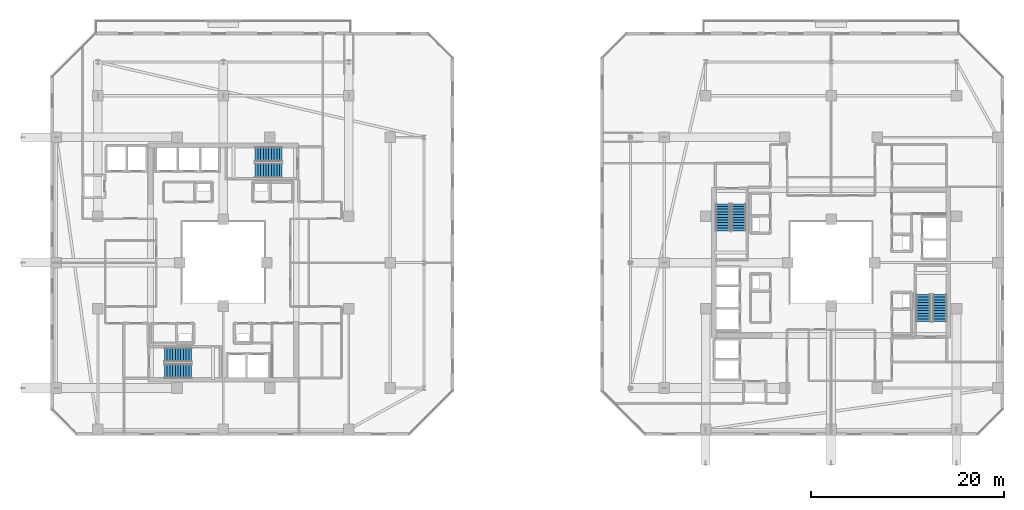
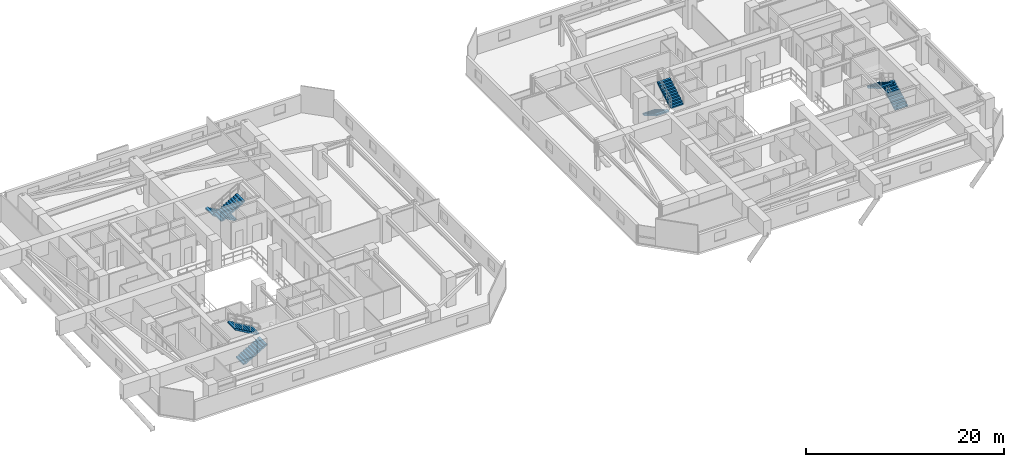
# One storey, part 30 of 36: 8 stair flights, 4 elements without a shape of their own.
"""IFC4 building model written with IfcOpenShell, lengths in metres."""

from ifc_helpers import new_model, si_unit, direction, frame, origin, place, context, subcontext, project, spatial, polyline, outline, extrude, material, type_object, element, aggregate, save


model = new_model("IFC4")

# Units and contexts
model_context = context("Model", 3, precision=1e-05, world=origin(), true_north=direction((0.0, 1.0)))
body_context = subcontext(model_context, "Body", "Model", "MODEL_VIEW")
ifc_project = project(units=[si_unit("LENGTHUNIT", "METRE"), si_unit("AREAUNIT", "SQUARE_METRE"), si_unit("VOLUMEUNIT", "CUBIC_METRE"), si_unit("PLANEANGLEUNIT", "RADIAN"), si_unit("MASSUNIT", "GRAM", prefix="KILO")], contexts=[model_context])

# Site, building, storey
site_placement = place(None, origin())
site = spatial("IfcSite", under=ifc_project, at=site_placement, CompositionType="ELEMENT")
building_placement = place(site_placement, origin())
building = spatial("IfcBuilding", under=site, at=building_placement, Name="Thornwick Lancets Civic Towers", CompositionType="ELEMENT")
storey_placement = place(building_placement, frame((0.0, 0.0, 196.5)))
storey = spatial("IfcBuildingStorey", under=building, at=storey_placement, Name="L52", CompositionType="ELEMENT", Elevation=196.5)

# Stair, stair flights
ifc_material = material(Name="Concrete C40/50", Category="concrete")
stair_type = type_object("IfcStairType", Name="STAIR_DL_3600", PredefinedType="HALF_TURN_STAIR", material=ifc_material)
stair_1_placement = place(storey_placement, origin())
stair_1 = element("IfcStair", 1, at=stair_1_placement, inside=storey, type_object=stair_type, Name="L52 Tower A South Exit Stair ST-A1", PredefinedType="HALF_TURN_STAIR")
stair_flight_type = type_object("IfcStairFlightType", Name="FLIGHT_3600", PredefinedType="STRAIGHT", material=ifc_material)
stair_flight_1_placement = place(storey_placement, frame((19.39990234375, 15.75, 0.0), z_axis=(0.0, 0.0, 1.0), x_axis=(1.0, 0.0, 0.0)))
stair_flight_1 = element("IfcStairFlight", 2, at=stair_flight_1_placement, type_object=stair_flight_type, Name="ST-A1 flight 1", NumberOfRisers=11, NumberOfTreads=10, PredefinedType="STRAIGHT", RiserHeight=0.163636364, TreadLength=0.28, context=body_context, shape_type="SweptSolid", body=[
    extrude(outline(polyline([(0.0, 0.0), (0.0, 0.16357421875), (0.280029296875, 0.16357421875), (0.280029296875, 0.327392578125), (0.56005859375, 0.327392578125), (0.56005859375, 0.490966796875), (0.840087890625, 0.490966796875), (0.840087890625, 0.654541015625), (1.1201171875, 0.654541015625), (1.1201171875, 0.818115234375), (1.39990234375, 0.818115234375), (1.39990234375, 0.98193359375), (1.679931640625, 0.98193359375), (1.679931640625, 1.1455078125), (1.9599609375, 1.1455078125), (1.9599609375, 1.30908203125), (2.239990234375, 1.30908203125), (2.239990234375, 1.47265625), (2.52001953125, 1.47265625), (2.52001953125, 1.636474609375), (2.800048828125, 1.636474609375), (2.800048828125, 1.800048828125), (2.800048828125, 1.462646484375), (0.297119140625, 0.0), (0.0, 0.0)])), frame((0.0, 0.75, 0.0), z_axis=(0.0, -1.0, 0.0), x_axis=(1.0, 0.0, 0.0)), (0.0, 0.0, 1.0), 1.5),
])
stair_flight_2_placement = place(storey_placement, frame((22.199951171875, 17.449951171875, 1.800048828125), z_axis=(0.0, 0.0, 1.0), x_axis=(-1.0, 0.0, 0.0)))
stair_flight_2 = element("IfcStairFlight", 3, at=stair_flight_2_placement, type_object=stair_flight_type, Name="ST-A1 flight 2", NumberOfRisers=11, NumberOfTreads=10, PredefinedType="STRAIGHT", RiserHeight=0.163636364, TreadLength=0.28, context=body_context, shape_type="SweptSolid", body=[
    extrude(outline(polyline([(0.0, 0.0), (0.0, 0.16357421875), (0.280029296875, 0.16357421875), (0.280029296875, 0.327392578125), (0.56005859375, 0.327392578125), (0.56005859375, 0.490966796875), (0.840087890625, 0.490966796875), (0.840087890625, 0.654541015625), (1.1201171875, 0.654541015625), (1.1201171875, 0.818115234375), (1.39990234375, 0.818115234375), (1.39990234375, 0.98193359375), (1.679931640625, 0.98193359375), (1.679931640625, 1.1455078125), (1.9599609375, 1.1455078125), (1.9599609375, 1.30908203125), (2.239990234375, 1.30908203125), (2.239990234375, 1.47265625), (2.52001953125, 1.47265625), (2.52001953125, 1.636474609375), (2.800048828125, 1.636474609375), (2.800048828125, 1.800048828125), (2.800048828125, 1.462646484375), (0.297119140625, 0.0), (0.0, 0.0)])), frame((0.0, 0.75, 0.0), z_axis=(0.0, -1.0, 0.0), x_axis=(1.0, 0.0, 0.0)), (0.0, 0.0, 1.0), 1.5),
])
aggregate(stair_1, [stair_flight_1, stair_flight_2])

stair_2_placement = place(storey_placement, origin())
stair_2 = element("IfcStair", 4, at=stair_2_placement, inside=storey, type_object=stair_type, Name="L52 Tower A North Exit Stair ST-A2", PredefinedType="HALF_TURN_STAIR")
stair_flight_3_placement = place(storey_placement, frame((31.60009765625, 38.25, 0.0), z_axis=(0.0, 0.0, 1.0), x_axis=(-1.0, 0.0, 0.0)))
stair_flight_3 = element("IfcStairFlight", 5, at=stair_flight_3_placement, type_object=stair_flight_type, Name="ST-A2 flight 1", NumberOfRisers=11, NumberOfTreads=10, PredefinedType="STRAIGHT", RiserHeight=0.163636364, TreadLength=0.28, context=body_context, shape_type="SweptSolid", body=[
    extrude(outline(polyline([(0.0, 0.0), (0.0, 0.16357421875), (0.280029296875, 0.16357421875), (0.280029296875, 0.327392578125), (0.56005859375, 0.327392578125), (0.56005859375, 0.490966796875), (0.840087890625, 0.490966796875), (0.840087890625, 0.654541015625), (1.1201171875, 0.654541015625), (1.1201171875, 0.818115234375), (1.39990234375, 0.818115234375), (1.39990234375, 0.98193359375), (1.679931640625, 0.98193359375), (1.679931640625, 1.1455078125), (1.9599609375, 1.1455078125), (1.9599609375, 1.30908203125), (2.239990234375, 1.30908203125), (2.239990234375, 1.47265625), (2.52001953125, 1.47265625), (2.52001953125, 1.636474609375), (2.800048828125, 1.636474609375), (2.800048828125, 1.800048828125), (2.800048828125, 1.462646484375), (0.297119140625, 0.0), (0.0, 0.0)])), frame((0.0, 0.75, 0.0), z_axis=(0.0, -1.0, 0.0), x_axis=(1.0, 0.0, 0.0)), (0.0, 0.0, 1.0), 1.5),
])
stair_flight_4_placement = place(storey_placement, frame((28.800048828125, 36.550048828125, 1.800048828125), z_axis=(0.0, 0.0, 1.0), x_axis=(1.0, 0.0, 0.0)))
stair_flight_4 = element("IfcStairFlight", 6, at=stair_flight_4_placement, type_object=stair_flight_type, Name="ST-A2 flight 2", NumberOfRisers=11, NumberOfTreads=10, PredefinedType="STRAIGHT", RiserHeight=0.163636364, TreadLength=0.28, context=body_context, shape_type="SweptSolid", body=[
    extrude(outline(polyline([(0.0, 0.0), (0.0, 0.16357421875), (0.280029296875, 0.16357421875), (0.280029296875, 0.327392578125), (0.56005859375, 0.327392578125), (0.56005859375, 0.490966796875), (0.840087890625, 0.490966796875), (0.840087890625, 0.654541015625), (1.1201171875, 0.654541015625), (1.1201171875, 0.818115234375), (1.39990234375, 0.818115234375), (1.39990234375, 0.98193359375), (1.679931640625, 0.98193359375), (1.679931640625, 1.1455078125), (1.9599609375, 1.1455078125), (1.9599609375, 1.30908203125), (2.239990234375, 1.30908203125), (2.239990234375, 1.47265625), (2.52001953125, 1.47265625), (2.52001953125, 1.636474609375), (2.800048828125, 1.636474609375), (2.800048828125, 1.800048828125), (2.800048828125, 1.462646484375), (0.297119140625, 0.0), (0.0, 0.0)])), frame((0.0, 0.75, 0.0), z_axis=(0.0, -1.0, 0.0), x_axis=(1.0, 0.0, 0.0)), (0.0, 0.0, 1.0), 1.5),
])
aggregate(stair_2, [stair_flight_3, stair_flight_4])

stair_3_placement = place(storey_placement, origin())
stair_3 = element("IfcStair", 7, at=stair_3_placement, inside=storey, type_object=stair_type, Name="L52 Tower B East Exit Stair ST-B1", PredefinedType="HALF_TURN_STAIR")
stair_flight_5_placement = place(storey_placement, frame((99.75, 20.89990234375, 0.0), z_axis=(0.0, 0.0, 1.0), x_axis=(0.0, 1.0, 0.0)))
stair_flight_5 = element("IfcStairFlight", 8, at=stair_flight_5_placement, type_object=stair_flight_type, Name="ST-B1 flight 1", NumberOfRisers=11, NumberOfTreads=10, PredefinedType="STRAIGHT", RiserHeight=0.163636364, TreadLength=0.28, context=body_context, shape_type="SweptSolid", body=[
    extrude(outline(polyline([(0.0, 0.0), (0.0, 0.16357421875), (0.280029296875, 0.16357421875), (0.280029296875, 0.327392578125), (0.56005859375, 0.327392578125), (0.56005859375, 0.490966796875), (0.840087890625, 0.490966796875), (0.840087890625, 0.654541015625), (1.1201171875, 0.654541015625), (1.1201171875, 0.818115234375), (1.39990234375, 0.818115234375), (1.39990234375, 0.98193359375), (1.679931640625, 0.98193359375), (1.679931640625, 1.1455078125), (1.9599609375, 1.1455078125), (1.9599609375, 1.30908203125), (2.239990234375, 1.30908203125), (2.239990234375, 1.47265625), (2.52001953125, 1.47265625), (2.52001953125, 1.636474609375), (2.800048828125, 1.636474609375), (2.800048828125, 1.800048828125), (2.800048828125, 1.462646484375), (0.297119140625, 0.0), (0.0, 0.0)])), frame((0.0, 0.75, 0.0), z_axis=(0.0, -1.0, 0.0), x_axis=(1.0, 0.0, 0.0)), (0.0, 0.0, 1.0), 1.5),
])
stair_flight_6_placement = place(storey_placement, frame((98.050048828125, 23.699951171875, 1.800048828125), z_axis=(0.0, 0.0, 1.0), x_axis=(0.0, -1.0, 0.0)))
stair_flight_6 = element("IfcStairFlight", 9, at=stair_flight_6_placement, type_object=stair_flight_type, Name="ST-B1 flight 2", NumberOfRisers=11, NumberOfTreads=10, PredefinedType="STRAIGHT", RiserHeight=0.163636364, TreadLength=0.28, context=body_context, shape_type="SweptSolid", body=[
    extrude(outline(polyline([(0.0, 0.0), (0.0, 0.16357421875), (0.280029296875, 0.16357421875), (0.280029296875, 0.327392578125), (0.56005859375, 0.327392578125), (0.56005859375, 0.490966796875), (0.840087890625, 0.490966796875), (0.840087890625, 0.654541015625), (1.1201171875, 0.654541015625), (1.1201171875, 0.818115234375), (1.39990234375, 0.818115234375), (1.39990234375, 0.98193359375), (1.679931640625, 0.98193359375), (1.679931640625, 1.1455078125), (1.9599609375, 1.1455078125), (1.9599609375, 1.30908203125), (2.239990234375, 1.30908203125), (2.239990234375, 1.47265625), (2.52001953125, 1.47265625), (2.52001953125, 1.636474609375), (2.800048828125, 1.636474609375), (2.800048828125, 1.800048828125), (2.800048828125, 1.462646484375), (0.297119140625, 0.0), (0.0, 0.0)])), frame((0.0, 0.75, 0.0), z_axis=(0.0, -1.0, 0.0), x_axis=(1.0, 0.0, 0.0)), (0.0, 0.0, 1.0), 1.5),
])
aggregate(stair_3, [stair_flight_5, stair_flight_6])

stair_4_placement = place(storey_placement, origin())
stair_4 = element("IfcStair", 10, at=stair_4_placement, inside=storey, type_object=stair_type, Name="L52 Tower B West Exit Stair ST-B2", PredefinedType="HALF_TURN_STAIR")
stair_flight_7_placement = place(storey_placement, frame((77.25, 33.10009765625, 0.0), z_axis=(0.0, 0.0, 1.0), x_axis=(0.0, -1.0, 0.0)))
stair_flight_7 = element("IfcStairFlight", 11, at=stair_flight_7_placement, type_object=stair_flight_type, Name="ST-B2 flight 1", NumberOfRisers=11, NumberOfTreads=10, PredefinedType="STRAIGHT", RiserHeight=0.163636364, TreadLength=0.28, context=body_context, shape_type="SweptSolid", body=[
    extrude(outline(polyline([(0.0, 0.0), (0.0, 0.16357421875), (0.280029296875, 0.16357421875), (0.280029296875, 0.327392578125), (0.56005859375, 0.327392578125), (0.56005859375, 0.490966796875), (0.840087890625, 0.490966796875), (0.840087890625, 0.654541015625), (1.1201171875, 0.654541015625), (1.1201171875, 0.818115234375), (1.39990234375, 0.818115234375), (1.39990234375, 0.98193359375), (1.679931640625, 0.98193359375), (1.679931640625, 1.1455078125), (1.9599609375, 1.1455078125), (1.9599609375, 1.30908203125), (2.239990234375, 1.30908203125), (2.239990234375, 1.47265625), (2.52001953125, 1.47265625), (2.52001953125, 1.636474609375), (2.800048828125, 1.636474609375), (2.800048828125, 1.800048828125), (2.800048828125, 1.462646484375), (0.297119140625, 0.0), (0.0, 0.0)])), frame((0.0, 0.75, 0.0), z_axis=(0.0, -1.0, 0.0), x_axis=(1.0, 0.0, 0.0)), (0.0, 0.0, 1.0), 1.5),
])
stair_flight_8_placement = place(storey_placement, frame((78.949951171875, 30.300048828125, 1.800048828125), z_axis=(0.0, 0.0, 1.0), x_axis=(0.0, 1.0, 0.0)))
stair_flight_8 = element("IfcStairFlight", 12, at=stair_flight_8_placement, type_object=stair_flight_type, Name="ST-B2 flight 2", NumberOfRisers=11, NumberOfTreads=10, PredefinedType="STRAIGHT", RiserHeight=0.163636364, TreadLength=0.28, context=body_context, shape_type="SweptSolid", body=[
    extrude(outline(polyline([(0.0, 0.0), (0.0, 0.16357421875), (0.280029296875, 0.16357421875), (0.280029296875, 0.327392578125), (0.56005859375, 0.327392578125), (0.56005859375, 0.490966796875), (0.840087890625, 0.490966796875), (0.840087890625, 0.654541015625), (1.1201171875, 0.654541015625), (1.1201171875, 0.818115234375), (1.39990234375, 0.818115234375), (1.39990234375, 0.98193359375), (1.679931640625, 0.98193359375), (1.679931640625, 1.1455078125), (1.9599609375, 1.1455078125), (1.9599609375, 1.30908203125), (2.239990234375, 1.30908203125), (2.239990234375, 1.47265625), (2.52001953125, 1.47265625), (2.52001953125, 1.636474609375), (2.800048828125, 1.636474609375), (2.800048828125, 1.800048828125), (2.800048828125, 1.462646484375), (0.297119140625, 0.0), (0.0, 0.0)])), frame((0.0, 0.75, 0.0), z_axis=(0.0, -1.0, 0.0), x_axis=(1.0, 0.0, 0.0)), (0.0, 0.0, 1.0), 1.5),
])
aggregate(stair_4, [stair_flight_7, stair_flight_8])

save(model, "model.ifc")
